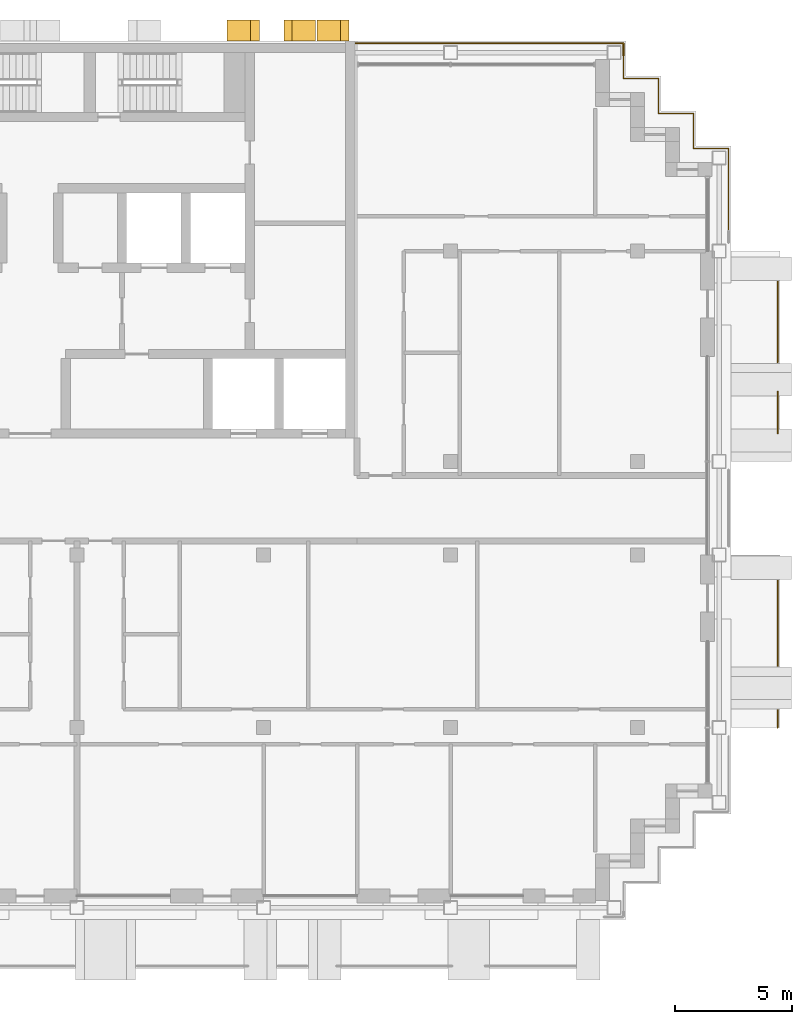
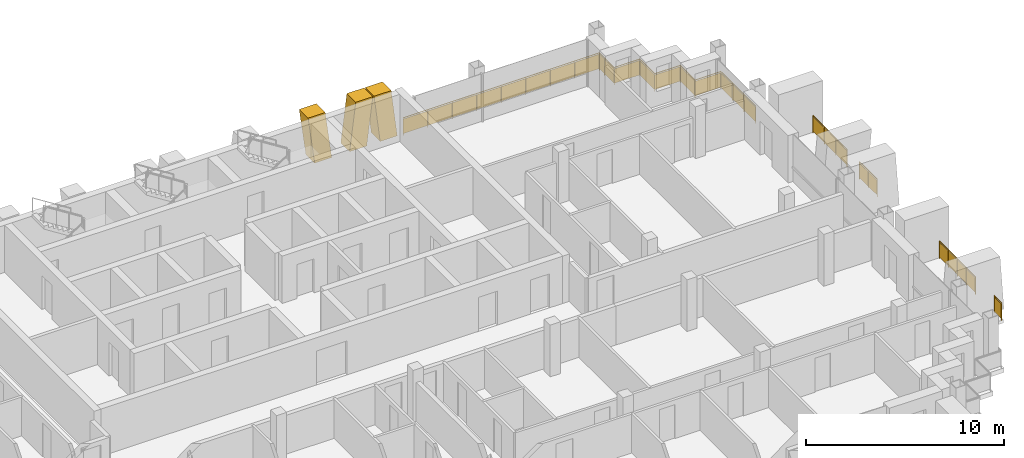
# One storey, part 15 of 15: 6 railings, 3 shading devices.
"""IFC4 building model written with IfcOpenShell, lengths in metres."""

from ifc_helpers import new_model, si_unit, direction, frame, origin, origin_2d, place, context, subcontext, project, spatial, polyline, rectangle, circle, outline, extrude, material, layer, layer_set, type_object, element, save


model = new_model("IFC4")

# Units and contexts
model_context = context("Model", 3, precision=1e-05, world=origin(), true_north=direction((0.0, 1.0)))
body_context = subcontext(model_context, "Body", "Model", "MODEL_VIEW")
ifc_project = project(units=[si_unit("LENGTHUNIT", "METRE"), si_unit("AREAUNIT", "SQUARE_METRE"), si_unit("VOLUMEUNIT", "CUBIC_METRE"), si_unit("PLANEANGLEUNIT", "RADIAN"), si_unit("MASSUNIT", "GRAM", prefix="KILO")], contexts=[model_context])

# Site, building, storey
site_placement = place(None, origin())
site = spatial("IfcSite", under=ifc_project, at=site_placement, CompositionType="ELEMENT")
building_placement = place(site_placement, origin())
building = spatial("IfcBuilding", under=site, at=building_placement, Name="Vidyagriha Tower", CompositionType="ELEMENT")
storey_placement = place(building_placement, frame((0.0, 0.0, 233.199951171875)))
storey = spatial("IfcBuildingStorey", under=building, at=storey_placement, Name="L61", CompositionType="ELEMENT", Elevation=233.199951171875)

# Railings
ifc_material_1 = material(Name="Steel ASTM A500 Grade C black painted", Category="steel")
railing_type_1 = type_object("IfcRailingType", Name="Balcony guard 1100", PredefinedType="BALUSTRADE", material=ifc_material_1)
railing_1_placement = place(storey_placement, frame((32.0, -9.39990234375, 0.0)))
element("IfcRailing", 1, at=railing_1_placement, inside=storey, type_object=railing_type_1, Name="Balcony guard L61 R30.1-1", PredefinedType="BALUSTRADE", context=body_context, shape_type="SweptSolid", body=[
    extrude(circle(Radius=0.02490234375, at=origin_2d()), frame((0.0, 0.0, 1.0751953125), z_axis=(0.0, 1.0, 0.0), x_axis=(-1.0, 0.0, 0.0)), (0.0, 0.0, 1.0), 0.75),
    extrude(circle(Radius=0.02001953125, at=origin_2d()), origin(), (0.0, 0.0, 1.0), 1.050048828125),
    extrude(circle(Radius=0.02001953125, at=origin_2d()), frame((0.0, 0.75, 0.0)), (0.0, 0.0, 1.0), 1.050048828125),
    extrude(rectangle(XDim=0.010009765625, YDim=0.900146484375, at=origin_2d()), frame((0.0, 0.0, 0.550048828125), z_axis=(0.0, 1.0, 0.0), x_axis=(-1.0, 0.0, 0.0)), (0.0, 0.0, 1.0), 0.75),
])
railing_2_placement = place(storey_placement, frame((32.0, -6.75, 0.0)))
element("IfcRailing", 2, at=railing_2_placement, inside=storey, type_object=railing_type_1, Name="Balcony guard L61 R30.1-2", PredefinedType="BALUSTRADE", context=body_context, shape_type="SweptSolid", body=[
    extrude(circle(Radius=0.02490234375, at=origin_2d()), frame((0.0, 0.0, 1.0751953125), z_axis=(0.0, 1.0, 0.0), x_axis=(-1.0, 0.0, 0.0)), (0.0, 0.0, 1.0), 3.64990234375),
    extrude(circle(Radius=0.02001953125, at=origin_2d()), origin(), (0.0, 0.0, 1.0), 1.050048828125),
    extrude(circle(Radius=0.02001953125, at=origin_2d()), frame((0.0, 0.91259765625, 0.0)), (0.0, 0.0, 1.0), 1.050048828125),
    extrude(circle(Radius=0.02001953125, at=origin_2d()), frame((0.0, 1.824951171875, 0.0)), (0.0, 0.0, 1.0), 1.050048828125),
    extrude(circle(Radius=0.02001953125, at=origin_2d()), frame((0.0, 2.7373046875, 0.0)), (0.0, 0.0, 1.0), 1.050048828125),
    extrude(circle(Radius=0.02001953125, at=origin_2d()), frame((0.0, 3.64990234375, 0.0)), (0.0, 0.0, 1.0), 1.050048828125),
    extrude(rectangle(XDim=0.010009765625, YDim=0.900146484375, at=origin_2d()), frame((0.0, 0.0, 0.550048828125), z_axis=(0.0, 1.0, 0.0), x_axis=(-1.0, 0.0, 0.0)), (0.0, 0.0, 1.0), 3.64990234375),
])
railing_3_placement = place(storey_placement, frame((32.0, 3.203369140625, 0.0)))
element("IfcRailing", 3, at=railing_3_placement, inside=storey, type_object=railing_type_1, Name="Balcony guard L61 R30.2-1", PredefinedType="BALUSTRADE", context=body_context, shape_type="SweptSolid", body=[
    extrude(circle(Radius=0.02490234375, at=origin_2d()), frame((0.0, 0.0, 1.0751953125), z_axis=(0.0, 1.0, 0.0), x_axis=(-1.0, 0.0, 0.0)), (0.0, 0.0, 1.0), 1.793212890625),
    extrude(circle(Radius=0.02001953125, at=origin_2d()), origin(), (0.0, 0.0, 1.0), 1.050048828125),
    extrude(circle(Radius=0.02001953125, at=origin_2d()), frame((0.0, 0.896484375, 0.0)), (0.0, 0.0, 1.0), 1.050048828125),
    extrude(circle(Radius=0.02001953125, at=origin_2d()), frame((0.0, 1.793212890625, 0.0)), (0.0, 0.0, 1.0), 1.050048828125),
    extrude(rectangle(XDim=0.010009765625, YDim=0.900146484375, at=origin_2d()), frame((0.0, 0.0, 0.550048828125), z_axis=(0.0, 1.0, 0.0), x_axis=(-1.0, 0.0, 0.0)), (0.0, 0.0, 1.0), 1.793212890625),
])
railing_4_placement = place(storey_placement, frame((32.0, 6.25, 0.0)))
element("IfcRailing", 4, at=railing_4_placement, inside=storey, type_object=railing_type_1, Name="Balcony guard L61 R30.2-2", PredefinedType="BALUSTRADE", context=body_context, shape_type="SweptSolid", body=[
    extrude(circle(Radius=0.02490234375, at=origin_2d()), frame((0.0, 0.0, 1.0751953125), z_axis=(0.0, 1.0, 0.0), x_axis=(-1.0, 0.0, 0.0)), (0.0, 0.0, 1.0), 3.449951171875),
    extrude(circle(Radius=0.02001953125, at=origin_2d()), origin(), (0.0, 0.0, 1.0), 1.050048828125),
    extrude(circle(Radius=0.02001953125, at=origin_2d()), frame((0.0, 1.14990234375, 0.0)), (0.0, 0.0, 1.0), 1.050048828125),
    extrude(circle(Radius=0.02001953125, at=origin_2d()), frame((0.0, 2.300048828125, 0.0)), (0.0, 0.0, 1.0), 1.050048828125),
    extrude(circle(Radius=0.02001953125, at=origin_2d()), frame((0.0, 3.449951171875, 0.0)), (0.0, 0.0, 1.0), 1.050048828125),
    extrude(rectangle(XDim=0.010009765625, YDim=0.900146484375, at=origin_2d()), frame((0.0, 0.0, 0.550048828125), z_axis=(0.0, 1.0, 0.0), x_axis=(-1.0, 0.0, 0.0)), (0.0, 0.0, 1.0), 3.449951171875),
])

# Shading devices
ifc_material_2 = material(Name="Precast concrete C40/50 with brick facing", Category="concrete")
ifc_layer = layer(ifc_material_2, 1.0)
ifc_layer_set = layer_set([ifc_layer], Name="Precast concrete C40/50 with brick facing")
shading_device_type = type_object("IfcShadingDeviceType", Name="Brick-faced rear rib arm leaning 8 degrees", PredefinedType="USERDEFINED", material=ifc_layer_set)
shading_device_1_placement = place(storey_placement, frame((12.21435546875, 20.449951171875, 0.0), z_axis=(0.0, 0.0, 1.0), x_axis=(-1.0, 0.0, 0.0)))
element("IfcShadingDevice", 5, at=shading_device_1_placement, inside=storey, type_object=shading_device_type, Name="Rear rib arm L61 R08.1a", ObjectType="BLADE FIN", PredefinedType="USERDEFINED", context=body_context, shape_type="SweptSolid", body=[
    extrude(outline(polyline([(0.357177734375, 0.0), (1.357177734375, 0.0), (1.0, 2.920166015625), (0.0, 2.920166015625), (0.357177734375, 0.0)])), frame((0.0, 0.449951171875, 0.0), z_axis=(0.0, -1.0, 0.0), x_axis=(1.0, 0.0, 0.0)), (0.0, 0.0, 1.0), 0.89990234375),
])
shading_device_2_placement = place(storey_placement, frame((13.642822265625, 20.449951171875, 0.0), z_axis=(0.0, 0.0, 1.0), x_axis=(-1.0, 0.0, 0.0)))
element("IfcShadingDevice", 6, at=shading_device_2_placement, inside=storey, type_object=shading_device_type, Name="Rear rib arm L61 R08.1b", ObjectType="BLADE FIN", PredefinedType="USERDEFINED", context=body_context, shape_type="SweptSolid", body=[
    extrude(outline(polyline([(0.0, 0.0), (1.0, 0.0), (1.357177734375, 2.920166015625), (0.357177734375, 2.920166015625), (0.0, 0.0)])), frame((0.0, 0.449951171875, 0.0), z_axis=(0.0, -1.0, 0.0), x_axis=(1.0, 0.0, 0.0)), (0.0, 0.0, 1.0), 0.89990234375),
])
shading_device_3_placement = place(storey_placement, frame((9.814208984375, 20.449951171875, 0.0), z_axis=(0.0, 0.0, 1.0), x_axis=(-1.0, 0.0, 0.0)))
element("IfcShadingDevice", 7, at=shading_device_3_placement, inside=storey, type_object=shading_device_type, Name="Rear rib arm L61 R08.2b", ObjectType="BLADE FIN", PredefinedType="USERDEFINED", context=body_context, shape_type="SweptSolid", body=[
    extrude(outline(polyline([(0.0, 0.0), (1.0, 0.0), (1.3857421875, 2.920166015625), (0.3857421875, 2.920166015625), (0.0, 0.0)])), frame((0.0, 0.449951171875, 0.0), z_axis=(0.0, -1.0, 0.0), x_axis=(1.0, 0.0, 0.0)), (0.0, 0.0, 1.0), 0.89990234375),
])

# Railings
ifc_material_3 = material(Name="Steel ASTM A500 Grade C black painted", Category="steel")
railing_type_2 = type_object("IfcRailingType", Name="Gallery guard 1100", PredefinedType="GUARDRAIL", material=ifc_material_3)
railing_5_placement = place(storey_placement, frame((13.929931640625, 19.89990234375, 0.0)))
element("IfcRailing", 8, at=railing_5_placement, inside=storey, type_object=railing_type_2, Name="Gallery guard L61 7", PredefinedType="GUARDRAIL", context=body_context, shape_type="SweptSolid", body=[
    extrude(circle(Radius=0.02490234375, at=origin_2d()), frame((0.0, 0.0, 1.0751953125), z_axis=(1.0, 0.0, 0.0), x_axis=(0.0, 1.0, 0.0)), (0.0, 0.0, 1.0), 11.469970703125),
    extrude(circle(Radius=0.02490234375, at=origin_2d()), frame((11.469970703125, 0.0, 1.0751953125), z_axis=(0.0, -1.0, 0.0), x_axis=(1.0, 0.0, 0.0)), (0.0, 0.0, 1.0), 0.52978515625),
    extrude(circle(Radius=0.02001953125, at=origin_2d()), origin(), (0.0, 0.0, 1.0), 1.050048828125),
    extrude(circle(Radius=0.02001953125, at=origin_2d()), frame((1.433837890625, 0.0, 0.0)), (0.0, 0.0, 1.0), 1.050048828125),
    extrude(circle(Radius=0.02001953125, at=origin_2d()), frame((2.867431640625, 0.0, 0.0)), (0.0, 0.0, 1.0), 1.050048828125),
    extrude(circle(Radius=0.02001953125, at=origin_2d()), frame((4.30126953125, 0.0, 0.0)), (0.0, 0.0, 1.0), 1.050048828125),
    extrude(circle(Radius=0.02001953125, at=origin_2d()), frame((5.73486328125, 0.0, 0.0)), (0.0, 0.0, 1.0), 1.050048828125),
    extrude(circle(Radius=0.02001953125, at=origin_2d()), frame((7.168701171875, 0.0, 0.0)), (0.0, 0.0, 1.0), 1.050048828125),
    extrude(circle(Radius=0.02001953125, at=origin_2d()), frame((8.6025390625, 0.0, 0.0)), (0.0, 0.0, 1.0), 1.050048828125),
    extrude(circle(Radius=0.02001953125, at=origin_2d()), frame((10.0361328125, 0.0, 0.0)), (0.0, 0.0, 1.0), 1.050048828125),
    extrude(circle(Radius=0.02001953125, at=origin_2d()), frame((11.469970703125, 0.0, 0.0)), (0.0, 0.0, 1.0), 1.050048828125),
    extrude(circle(Radius=0.02001953125, at=origin_2d()), frame((11.469970703125, -0.52978515625, 0.0)), (0.0, 0.0, 1.0), 1.050048828125),
    extrude(rectangle(XDim=0.010009765625, YDim=0.900146484375, at=origin_2d()), frame((0.0, 0.0, 0.550048828125), z_axis=(1.0, 0.0, 0.0), x_axis=(0.0, 1.0, 0.0)), (0.0, 0.0, 1.0), 11.469970703125),
    extrude(rectangle(XDim=0.010009765625, YDim=0.900146484375, at=origin_2d()), frame((11.469970703125, 0.0, 0.550048828125), z_axis=(0.0, -1.0, 0.0), x_axis=(1.0, 0.0, 0.0)), (0.0, 0.0, 1.0), 0.52978515625),
])
railing_6_placement = place(storey_placement, frame((25.39990234375, 19.3701171875, 0.0)))
element("IfcRailing", 9, at=railing_6_placement, inside=storey, type_object=railing_type_2, Name="Gallery guard L61 8", PredefinedType="GUARDRAIL", context=body_context, shape_type="SweptSolid", body=[
    extrude(circle(Radius=0.02490234375, at=origin_2d()), frame((0.0, 0.0, 1.0751953125), z_axis=(0.0, -1.0, 0.0), x_axis=(1.0, 0.0, 0.0)), (0.0, 0.0, 1.0), 0.97021484375),
    extrude(circle(Radius=0.02490234375, at=origin_2d()), frame((0.0, -0.97021484375, 1.0751953125), z_axis=(1.0, 0.0, 0.0), x_axis=(0.0, 1.0, 0.0)), (0.0, 0.0, 1.0), 1.5),
    extrude(circle(Radius=0.02490234375, at=origin_2d()), frame((1.5, -0.97021484375, 1.0751953125), z_axis=(0.0, -1.0, 0.0), x_axis=(1.0, 0.0, 0.0)), (0.0, 0.0, 1.0), 1.5),
    extrude(circle(Radius=0.02490234375, at=origin_2d()), frame((1.5, -2.47021484375, 1.0751953125), z_axis=(1.0, 0.0, 0.0), x_axis=(0.0, 1.0, 0.0)), (0.0, 0.0, 1.0), 1.5),
    extrude(circle(Radius=0.02490234375, at=origin_2d()), frame((3.0, -2.47021484375, 1.0751953125), z_axis=(0.0, -1.0, 0.0), x_axis=(1.0, 0.0, 0.0)), (0.0, 0.0, 1.0), 1.5),
    extrude(circle(Radius=0.02490234375, at=origin_2d()), frame((3.0, -3.97021484375, 1.0751953125), z_axis=(1.0, 0.0, 0.0), x_axis=(0.0, 1.0, 0.0)), (0.0, 0.0, 1.0), 1.5),
    extrude(circle(Radius=0.02490234375, at=origin_2d()), frame((4.5, -3.97021484375, 1.0751953125), z_axis=(0.0, -1.0, 0.0), x_axis=(1.0, 0.0, 0.0)), (0.0, 0.0, 1.0), 3.52978515625),
    extrude(circle(Radius=0.02001953125, at=origin_2d()), origin(), (0.0, 0.0, 1.0), 1.050048828125),
    extrude(circle(Radius=0.02001953125, at=origin_2d()), frame((0.0, -0.97021484375, 0.0)), (0.0, 0.0, 1.0), 1.050048828125),
    extrude(circle(Radius=0.02001953125, at=origin_2d()), frame((1.5, -0.97021484375, 0.0)), (0.0, 0.0, 1.0), 1.050048828125),
    extrude(circle(Radius=0.02001953125, at=origin_2d()), frame((1.5, -2.47021484375, 0.0)), (0.0, 0.0, 1.0), 1.050048828125),
    extrude(circle(Radius=0.02001953125, at=origin_2d()), frame((3.0, -2.47021484375, 0.0)), (0.0, 0.0, 1.0), 1.050048828125),
    extrude(circle(Radius=0.02001953125, at=origin_2d()), frame((3.0, -3.97021484375, 0.0)), (0.0, 0.0, 1.0), 1.050048828125),
    extrude(circle(Radius=0.02001953125, at=origin_2d()), frame((4.5, -3.97021484375, 0.0)), (0.0, 0.0, 1.0), 1.050048828125),
    extrude(circle(Radius=0.02001953125, at=origin_2d()), frame((4.5, -5.146728515625, 0.0)), (0.0, 0.0, 1.0), 1.050048828125),
    extrude(circle(Radius=0.02001953125, at=origin_2d()), frame((4.5, -6.323486328125, 0.0)), (0.0, 0.0, 1.0), 1.050048828125),
    extrude(circle(Radius=0.02001953125, at=origin_2d()), frame((4.5, -7.5, 0.0)), (0.0, 0.0, 1.0), 1.050048828125),
    extrude(rectangle(XDim=0.010009765625, YDim=0.900146484375, at=origin_2d()), frame((0.0, 0.0, 0.550048828125), z_axis=(0.0, -1.0, 0.0), x_axis=(1.0, 0.0, 0.0)), (0.0, 0.0, 1.0), 0.97021484375),
    extrude(rectangle(XDim=0.010009765625, YDim=0.900146484375, at=origin_2d()), frame((0.0, -0.97021484375, 0.550048828125), z_axis=(1.0, 0.0, 0.0), x_axis=(0.0, 1.0, 0.0)), (0.0, 0.0, 1.0), 1.5),
    extrude(rectangle(XDim=0.010009765625, YDim=0.900146484375, at=origin_2d()), frame((1.5, -0.97021484375, 0.550048828125), z_axis=(0.0, -1.0, 0.0), x_axis=(1.0, 0.0, 0.0)), (0.0, 0.0, 1.0), 1.5),
    extrude(rectangle(XDim=0.010009765625, YDim=0.900146484375, at=origin_2d()), frame((1.5, -2.47021484375, 0.550048828125), z_axis=(1.0, 0.0, 0.0), x_axis=(0.0, 1.0, 0.0)), (0.0, 0.0, 1.0), 1.5),
    extrude(rectangle(XDim=0.010009765625, YDim=0.900146484375, at=origin_2d()), frame((3.0, -2.47021484375, 0.550048828125), z_axis=(0.0, -1.0, 0.0), x_axis=(1.0, 0.0, 0.0)), (0.0, 0.0, 1.0), 1.5),
    extrude(rectangle(XDim=0.010009765625, YDim=0.900146484375, at=origin_2d()), frame((3.0, -3.97021484375, 0.550048828125), z_axis=(1.0, 0.0, 0.0), x_axis=(0.0, 1.0, 0.0)), (0.0, 0.0, 1.0), 1.5),
    extrude(rectangle(XDim=0.010009765625, YDim=0.900146484375, at=origin_2d()), frame((4.5, -3.97021484375, 0.550048828125), z_axis=(0.0, -1.0, 0.0), x_axis=(1.0, 0.0, 0.0)), (0.0, 0.0, 1.0), 3.52978515625),
])

save(model, "model.ifc")
